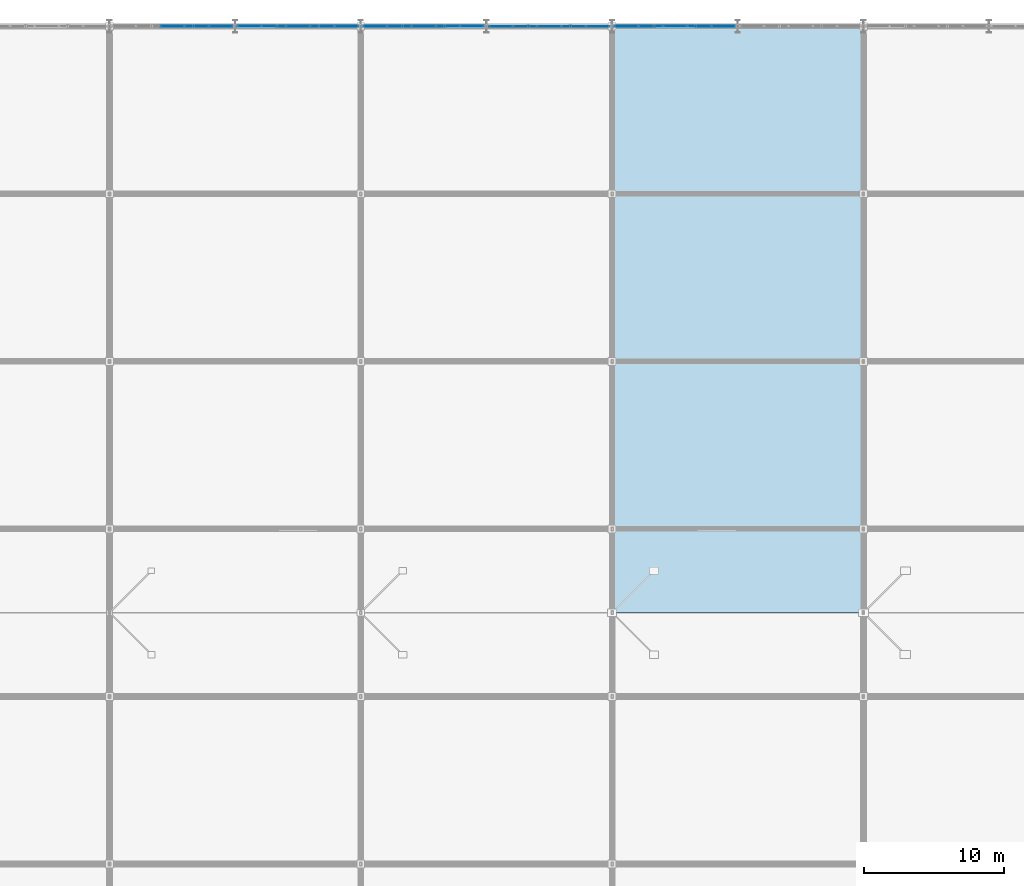
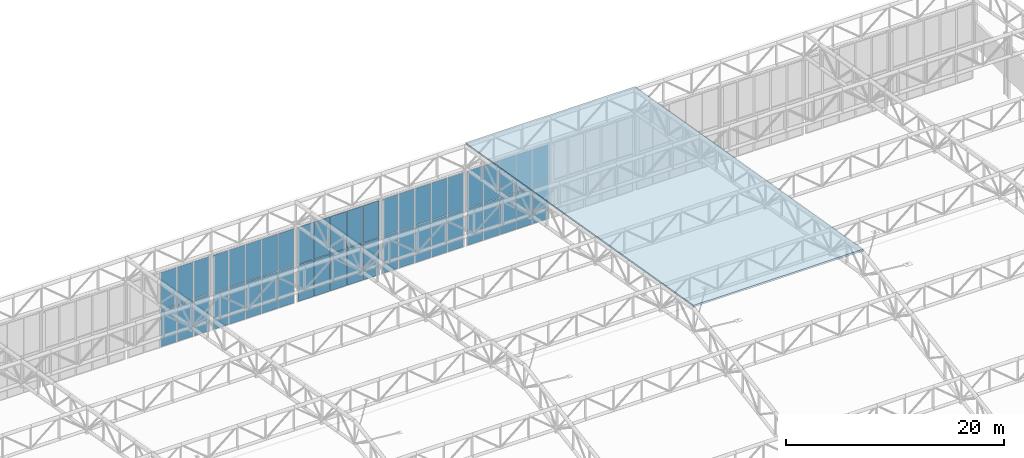
# One storey, part 188 of 239: 69 plates, 1 slab, 6 elements without a shape of their own.
"""IFC4 building model written with IfcOpenShell, lengths in metres."""

from ifc_helpers import new_model, si_unit, direction, frame, origin, origin_2d, place, context, subcontext, project, spatial, polyline, rectangle, outline, extrude, material, layer, layer_set, type_object, element, aggregate, save


model = new_model("IFC4")

# Units and contexts
model_context = context("Model", 3, precision=1e-05, world=origin(), true_north=direction((0.0, 1.0)))
body_context = subcontext(model_context, "Body", "Model", "MODEL_VIEW")
ifc_project = project(units=[si_unit("LENGTHUNIT", "METRE"), si_unit("AREAUNIT", "SQUARE_METRE"), si_unit("VOLUMEUNIT", "CUBIC_METRE"), si_unit("PLANEANGLEUNIT", "RADIAN"), si_unit("MASSUNIT", "GRAM", prefix="KILO")], contexts=[model_context])

# Site, building, storey
site_placement = place(None, origin())
site = spatial("IfcSite", under=ifc_project, at=site_placement, CompositionType="ELEMENT")
building_placement = place(site_placement, origin())
building = spatial("IfcBuilding", under=site, at=building_placement, Name="Kaldris Quays Convention Centre", CompositionType="ELEMENT")
storey_placement = place(building_placement, frame((0.0, 0.0, 11.39990234375)))
storey = spatial("IfcBuildingStorey", under=building, at=storey_placement, Name="L02", CompositionType="ELEMENT", Elevation=11.39990234375)

# Curtain wall, plates
ifc_material_1 = material(Name="Anodized aluminium AW-6060 and triple glazing", Category="aluminium")
curtain_wall_type = type_object("IfcCurtainWallType", Name="UNITISED CURTAIN WALL CW03", PredefinedType="NOTDEFINED", material=ifc_material_1)
curtain_wall_1_placement = place(storey_placement, origin())
curtain_wall_1 = element("IfcCurtainWall", 1, at=curtain_wall_1_placement, inside=storey, type_object=curtain_wall_type, Name="L02 Unitised Curtain Wall CW03 242", PredefinedType="NOTDEFINED")
ifc_material_2 = material(Name="Triple low-E insulated glazing", Category="glass")
plate_type_1 = type_object("IfcPlateType", Name="CURTAIN GLAZING PANEL CWP2", PredefinedType="CURTAIN_PANEL", material=ifc_material_2)
plate_1_placement = place(storey_placement, frame((84.027099609375, 140.0, -1.544921875), z_axis=(0.0, 0.0, 1.0), x_axis=(1.0, 0.0, 0.0)))
plate_1 = element("IfcPlate", 2, at=plate_1_placement, type_object=plate_type_1, Name="CW03 panel 1.1", PredefinedType="CURTAIN_PANEL", context=body_context, shape_type="SweptSolid", body=[
    extrude(rectangle(XDim=1.654052734375, YDim=0.033935546875, at=origin_2d()), origin(), (0.0, 0.0, 1.0), 0.9599609375),
])
plate_2_placement = place(storey_placement, frame((84.027099609375, 140.0, -0.52490234375), z_axis=(0.0, 0.0, 1.0), x_axis=(1.0, 0.0, 0.0)))
plate_2 = element("IfcPlate", 3, at=plate_2_placement, type_object=plate_type_1, Name="CW03 panel 1.2", PredefinedType="CURTAIN_PANEL", context=body_context, shape_type="SweptSolid", body=[
    extrude(rectangle(XDim=1.654052734375, YDim=0.033935546875, at=origin_2d()), origin(), (0.0, 0.0, 1.0), 3.117919921875),
])
plate_3_placement = place(storey_placement, frame((84.027099609375, 140.0, 2.6533203125), z_axis=(0.0, 0.0, 1.0), x_axis=(1.0, 0.0, 0.0)))
plate_3 = element("IfcPlate", 4, at=plate_3_placement, type_object=plate_type_1, Name="CW03 panel 1.3", PredefinedType="CURTAIN_PANEL", context=body_context, shape_type="SweptSolid", body=[
    extrude(rectangle(XDim=1.654052734375, YDim=0.033935546875, at=origin_2d()), origin(), (0.0, 0.0, 1.0), 4.136962890625),
])
plate_4_placement = place(storey_placement, frame((85.756103515625, 140.0, -1.544921875), z_axis=(0.0, 0.0, 1.0), x_axis=(1.0, 0.0, 0.0)))
plate_4 = element("IfcPlate", 5, at=plate_4_placement, type_object=plate_type_1, Name="CW03 panel 2.1", PredefinedType="CURTAIN_PANEL", context=body_context, shape_type="SweptSolid", body=[
    extrude(rectangle(XDim=1.68408203125, YDim=0.033935546875, at=origin_2d()), origin(), (0.0, 0.0, 1.0), 0.9599609375),
])
plate_5_placement = place(storey_placement, frame((85.756103515625, 140.0, -0.52490234375), z_axis=(0.0, 0.0, 1.0), x_axis=(1.0, 0.0, 0.0)))
plate_5 = element("IfcPlate", 6, at=plate_5_placement, type_object=plate_type_1, Name="CW03 panel 2.2", PredefinedType="CURTAIN_PANEL", context=body_context, shape_type="SweptSolid", body=[
    extrude(rectangle(XDim=1.68408203125, YDim=0.033935546875, at=origin_2d()), origin(), (0.0, 0.0, 1.0), 3.117919921875),
])
plate_6_placement = place(storey_placement, frame((85.756103515625, 140.0, 2.6533203125), z_axis=(0.0, 0.0, 1.0), x_axis=(1.0, 0.0, 0.0)))
plate_6 = element("IfcPlate", 7, at=plate_6_placement, type_object=plate_type_1, Name="CW03 panel 2.3", PredefinedType="CURTAIN_PANEL", context=body_context, shape_type="SweptSolid", body=[
    extrude(rectangle(XDim=1.68408203125, YDim=0.033935546875, at=origin_2d()), origin(), (0.0, 0.0, 1.0), 4.136962890625),
])
plate_7_placement = place(storey_placement, frame((87.5, 140.0, -1.544921875), z_axis=(0.0, 0.0, 1.0), x_axis=(1.0, 0.0, 0.0)))
plate_7 = element("IfcPlate", 8, at=plate_7_placement, type_object=plate_type_1, Name="CW03 panel 3.1", PredefinedType="CURTAIN_PANEL", context=body_context, shape_type="SweptSolid", body=[
    extrude(rectangle(XDim=1.68408203125, YDim=0.033935546875, at=origin_2d()), origin(), (0.0, 0.0, 1.0), 0.9599609375),
])
plate_8_placement = place(storey_placement, frame((87.5, 140.0, -0.52490234375), z_axis=(0.0, 0.0, 1.0), x_axis=(1.0, 0.0, 0.0)))
plate_8 = element("IfcPlate", 9, at=plate_8_placement, type_object=plate_type_1, Name="CW03 panel 3.2", PredefinedType="CURTAIN_PANEL", context=body_context, shape_type="SweptSolid", body=[
    extrude(rectangle(XDim=1.68408203125, YDim=0.033935546875, at=origin_2d()), origin(), (0.0, 0.0, 1.0), 3.117919921875),
])
plate_9_placement = place(storey_placement, frame((87.5, 140.0, 2.6533203125), z_axis=(0.0, 0.0, 1.0), x_axis=(1.0, 0.0, 0.0)))
plate_9 = element("IfcPlate", 10, at=plate_9_placement, type_object=plate_type_1, Name="CW03 panel 3.3", PredefinedType="CURTAIN_PANEL", context=body_context, shape_type="SweptSolid", body=[
    extrude(rectangle(XDim=1.68408203125, YDim=0.033935546875, at=origin_2d()), origin(), (0.0, 0.0, 1.0), 4.136962890625),
])
plate_10_placement = place(storey_placement, frame((89.243896484375, 140.0, -1.544921875), z_axis=(0.0, 0.0, 1.0), x_axis=(1.0, 0.0, 0.0)))
plate_10 = element("IfcPlate", 11, at=plate_10_placement, type_object=plate_type_1, Name="CW03 panel 4.1", PredefinedType="CURTAIN_PANEL", context=body_context, shape_type="SweptSolid", body=[
    extrude(rectangle(XDim=1.68408203125, YDim=0.033935546875, at=origin_2d()), origin(), (0.0, 0.0, 1.0), 0.9599609375),
])
plate_11_placement = place(storey_placement, frame((89.243896484375, 140.0, -0.52490234375), z_axis=(0.0, 0.0, 1.0), x_axis=(1.0, 0.0, 0.0)))
plate_11 = element("IfcPlate", 12, at=plate_11_placement, type_object=plate_type_1, Name="CW03 panel 4.2", PredefinedType="CURTAIN_PANEL", context=body_context, shape_type="SweptSolid", body=[
    extrude(rectangle(XDim=1.68408203125, YDim=0.033935546875, at=origin_2d()), origin(), (0.0, 0.0, 1.0), 3.117919921875),
])
plate_12_placement = place(storey_placement, frame((89.243896484375, 140.0, 2.6533203125), z_axis=(0.0, 0.0, 1.0), x_axis=(1.0, 0.0, 0.0)))
plate_12 = element("IfcPlate", 13, at=plate_12_placement, type_object=plate_type_1, Name="CW03 panel 4.3", PredefinedType="CURTAIN_PANEL", context=body_context, shape_type="SweptSolid", body=[
    extrude(rectangle(XDim=1.68408203125, YDim=0.033935546875, at=origin_2d()), origin(), (0.0, 0.0, 1.0), 4.136962890625),
])
plate_13_placement = place(storey_placement, frame((90.972900390625, 140.0, -1.544921875), z_axis=(0.0, 0.0, 1.0), x_axis=(1.0, 0.0, 0.0)))
plate_13 = element("IfcPlate", 14, at=plate_13_placement, type_object=plate_type_1, Name="CW03 panel 5.1", PredefinedType="CURTAIN_PANEL", context=body_context, shape_type="SweptSolid", body=[
    extrude(rectangle(XDim=1.654052734375, YDim=0.033935546875, at=origin_2d()), origin(), (0.0, 0.0, 1.0), 0.9599609375),
])
plate_14_placement = place(storey_placement, frame((90.972900390625, 140.0, -0.52490234375), z_axis=(0.0, 0.0, 1.0), x_axis=(1.0, 0.0, 0.0)))
plate_14 = element("IfcPlate", 15, at=plate_14_placement, type_object=plate_type_1, Name="CW03 panel 5.2", PredefinedType="CURTAIN_PANEL", context=body_context, shape_type="SweptSolid", body=[
    extrude(rectangle(XDim=1.654052734375, YDim=0.033935546875, at=origin_2d()), origin(), (0.0, 0.0, 1.0), 3.117919921875),
])
plate_15_placement = place(storey_placement, frame((90.972900390625, 140.0, 2.6533203125), z_axis=(0.0, 0.0, 1.0), x_axis=(1.0, 0.0, 0.0)))
plate_15 = element("IfcPlate", 16, at=plate_15_placement, type_object=plate_type_1, Name="CW03 panel 5.3", PredefinedType="CURTAIN_PANEL", context=body_context, shape_type="SweptSolid", body=[
    extrude(rectangle(XDim=1.654052734375, YDim=0.033935546875, at=origin_2d()), origin(), (0.0, 0.0, 1.0), 4.136962890625),
])
aggregate(curtain_wall_1, [plate_1, plate_2, plate_3, plate_4, plate_5, plate_6, plate_7, plate_8, plate_9, plate_10, plate_11, plate_12, plate_13, plate_14, plate_15])

curtain_wall_2_placement = place(storey_placement, origin())
curtain_wall_2 = element("IfcCurtainWall", 17, at=curtain_wall_2_placement, inside=storey, type_object=curtain_wall_type, Name="L02 Unitised Curtain Wall CW03 236", PredefinedType="NOTDEFINED")
plate_type_2 = type_object("IfcPlateType", Name="CURTAIN GLAZING PANEL CWP4", PredefinedType="CURTAIN_PANEL", material=ifc_material_2)
plate_16_placement = place(storey_placement, frame((60.5, 140.0, -1.544921875), z_axis=(0.0, 0.0, 1.0), x_axis=(1.0, 0.0, 0.0)))
plate_16 = element("IfcPlate", 18, at=plate_16_placement, type_object=plate_type_2, Name="CW03 panel 3.1", PredefinedType="CURTAIN_PANEL", context=body_context, shape_type="SweptSolid", body=[
    extrude(rectangle(XDim=1.68408203125, YDim=0.0439453125, at=origin_2d()), origin(), (0.0, 0.0, 1.0), 0.9599609375),
])
plate_17_placement = place(storey_placement, frame((60.5, 140.0, -0.52490234375), z_axis=(0.0, 0.0, 1.0), x_axis=(1.0, 0.0, 0.0)))
plate_17 = element("IfcPlate", 19, at=plate_17_placement, type_object=plate_type_2, Name="CW03 panel 3.2", PredefinedType="CURTAIN_PANEL", context=body_context, shape_type="SweptSolid", body=[
    extrude(rectangle(XDim=1.68408203125, YDim=0.0439453125, at=origin_2d()), origin(), (0.0, 0.0, 1.0), 3.117919921875),
])
plate_18_placement = place(storey_placement, frame((60.5, 140.0, 2.6533203125), z_axis=(0.0, 0.0, 1.0), x_axis=(1.0, 0.0, 0.0)))
plate_18 = element("IfcPlate", 20, at=plate_18_placement, type_object=plate_type_2, Name="CW03 panel 3.3", PredefinedType="CURTAIN_PANEL", context=body_context, shape_type="SweptSolid", body=[
    extrude(rectangle(XDim=1.68408203125, YDim=0.0439453125, at=origin_2d()), origin(), (0.0, 0.0, 1.0), 4.136962890625),
])
plate_19_placement = place(storey_placement, frame((62.243896484375, 140.0, -1.544921875), z_axis=(0.0, 0.0, 1.0), x_axis=(1.0, 0.0, 0.0)))
plate_19 = element("IfcPlate", 21, at=plate_19_placement, type_object=plate_type_2, Name="CW03 panel 4.1", PredefinedType="CURTAIN_PANEL", context=body_context, shape_type="SweptSolid", body=[
    extrude(rectangle(XDim=1.68408203125, YDim=0.0439453125, at=origin_2d()), origin(), (0.0, 0.0, 1.0), 0.9599609375),
])
plate_20_placement = place(storey_placement, frame((62.243896484375, 140.0, -0.52490234375), z_axis=(0.0, 0.0, 1.0), x_axis=(1.0, 0.0, 0.0)))
plate_20 = element("IfcPlate", 22, at=plate_20_placement, type_object=plate_type_2, Name="CW03 panel 4.2", PredefinedType="CURTAIN_PANEL", context=body_context, shape_type="SweptSolid", body=[
    extrude(rectangle(XDim=1.68408203125, YDim=0.0439453125, at=origin_2d()), origin(), (0.0, 0.0, 1.0), 3.117919921875),
])
plate_21_placement = place(storey_placement, frame((62.243896484375, 140.0, 2.6533203125), z_axis=(0.0, 0.0, 1.0), x_axis=(1.0, 0.0, 0.0)))
plate_21 = element("IfcPlate", 23, at=plate_21_placement, type_object=plate_type_2, Name="CW03 panel 4.3", PredefinedType="CURTAIN_PANEL", context=body_context, shape_type="SweptSolid", body=[
    extrude(rectangle(XDim=1.68408203125, YDim=0.0439453125, at=origin_2d()), origin(), (0.0, 0.0, 1.0), 4.136962890625),
])
plate_22_placement = place(storey_placement, frame((63.972900390625, 140.0, -1.544921875), z_axis=(0.0, 0.0, 1.0), x_axis=(1.0, 0.0, 0.0)))
plate_22 = element("IfcPlate", 24, at=plate_22_placement, type_object=plate_type_2, Name="CW03 panel 5.1", PredefinedType="CURTAIN_PANEL", context=body_context, shape_type="SweptSolid", body=[
    extrude(rectangle(XDim=1.654052734375, YDim=0.0439453125, at=origin_2d()), origin(), (0.0, 0.0, 1.0), 0.9599609375),
])
plate_23_placement = place(storey_placement, frame((63.972900390625, 140.0, -0.52490234375), z_axis=(0.0, 0.0, 1.0), x_axis=(1.0, 0.0, 0.0)))
plate_23 = element("IfcPlate", 25, at=plate_23_placement, type_object=plate_type_2, Name="CW03 panel 5.2", PredefinedType="CURTAIN_PANEL", context=body_context, shape_type="SweptSolid", body=[
    extrude(rectangle(XDim=1.654052734375, YDim=0.0439453125, at=origin_2d()), origin(), (0.0, 0.0, 1.0), 3.117919921875),
])
plate_24_placement = place(storey_placement, frame((63.972900390625, 140.0, 2.6533203125), z_axis=(0.0, 0.0, 1.0), x_axis=(1.0, 0.0, 0.0)))
plate_24 = element("IfcPlate", 26, at=plate_24_placement, type_object=plate_type_2, Name="CW03 panel 5.3", PredefinedType="CURTAIN_PANEL", context=body_context, shape_type="SweptSolid", body=[
    extrude(rectangle(XDim=1.654052734375, YDim=0.0439453125, at=origin_2d()), origin(), (0.0, 0.0, 1.0), 4.136962890625),
])
aggregate(curtain_wall_2, [plate_16, plate_17, plate_18, plate_19, plate_20, plate_21, plate_22, plate_23, plate_24])

curtain_wall_3_placement = place(storey_placement, origin())
curtain_wall_3 = element("IfcCurtainWall", 27, at=curtain_wall_3_placement, inside=storey, type_object=curtain_wall_type, Name="L02 Unitised Curtain Wall CW03 244", PredefinedType="NOTDEFINED")
plate_25_placement = place(storey_placement, frame((93.027099609375, 140.0, -1.544921875), z_axis=(0.0, 0.0, 1.0), x_axis=(1.0, 0.0, 0.0)))
plate_25 = element("IfcPlate", 28, at=plate_25_placement, type_object=plate_type_2, Name="CW03 panel 1.1", PredefinedType="CURTAIN_PANEL", context=body_context, shape_type="SweptSolid", body=[
    extrude(rectangle(XDim=1.654052734375, YDim=0.0439453125, at=origin_2d()), origin(), (0.0, 0.0, 1.0), 0.9599609375),
])
plate_26_placement = place(storey_placement, frame((93.027099609375, 140.0, -0.52490234375), z_axis=(0.0, 0.0, 1.0), x_axis=(1.0, 0.0, 0.0)))
plate_26 = element("IfcPlate", 29, at=plate_26_placement, type_object=plate_type_2, Name="CW03 panel 1.2", PredefinedType="CURTAIN_PANEL", context=body_context, shape_type="SweptSolid", body=[
    extrude(rectangle(XDim=1.654052734375, YDim=0.0439453125, at=origin_2d()), origin(), (0.0, 0.0, 1.0), 3.117919921875),
])
plate_27_placement = place(storey_placement, frame((93.027099609375, 140.0, 2.6533203125), z_axis=(0.0, 0.0, 1.0), x_axis=(1.0, 0.0, 0.0)))
plate_27 = element("IfcPlate", 30, at=plate_27_placement, type_object=plate_type_2, Name="CW03 panel 1.3", PredefinedType="CURTAIN_PANEL", context=body_context, shape_type="SweptSolid", body=[
    extrude(rectangle(XDim=1.654052734375, YDim=0.0439453125, at=origin_2d()), origin(), (0.0, 0.0, 1.0), 4.136962890625),
])
plate_28_placement = place(storey_placement, frame((94.756103515625, 140.0, -1.544921875), z_axis=(0.0, 0.0, 1.0), x_axis=(1.0, 0.0, 0.0)))
plate_28 = element("IfcPlate", 31, at=plate_28_placement, type_object=plate_type_2, Name="CW03 panel 2.1", PredefinedType="CURTAIN_PANEL", context=body_context, shape_type="SweptSolid", body=[
    extrude(rectangle(XDim=1.68408203125, YDim=0.0439453125, at=origin_2d()), origin(), (0.0, 0.0, 1.0), 0.9599609375),
])
plate_29_placement = place(storey_placement, frame((94.756103515625, 140.0, -0.52490234375), z_axis=(0.0, 0.0, 1.0), x_axis=(1.0, 0.0, 0.0)))
plate_29 = element("IfcPlate", 32, at=plate_29_placement, type_object=plate_type_2, Name="CW03 panel 2.2", PredefinedType="CURTAIN_PANEL", context=body_context, shape_type="SweptSolid", body=[
    extrude(rectangle(XDim=1.68408203125, YDim=0.0439453125, at=origin_2d()), origin(), (0.0, 0.0, 1.0), 3.117919921875),
])
plate_30_placement = place(storey_placement, frame((94.756103515625, 140.0, 2.6533203125), z_axis=(0.0, 0.0, 1.0), x_axis=(1.0, 0.0, 0.0)))
plate_30 = element("IfcPlate", 33, at=plate_30_placement, type_object=plate_type_2, Name="CW03 panel 2.3", PredefinedType="CURTAIN_PANEL", context=body_context, shape_type="SweptSolid", body=[
    extrude(rectangle(XDim=1.68408203125, YDim=0.0439453125, at=origin_2d()), origin(), (0.0, 0.0, 1.0), 4.136962890625),
])
plate_31_placement = place(storey_placement, frame((96.5, 140.0, -1.544921875), z_axis=(0.0, 0.0, 1.0), x_axis=(1.0, 0.0, 0.0)))
plate_31 = element("IfcPlate", 34, at=plate_31_placement, type_object=plate_type_2, Name="CW03 panel 3.1", PredefinedType="CURTAIN_PANEL", context=body_context, shape_type="SweptSolid", body=[
    extrude(rectangle(XDim=1.68408203125, YDim=0.0439453125, at=origin_2d()), origin(), (0.0, 0.0, 1.0), 0.9599609375),
])
plate_32_placement = place(storey_placement, frame((96.5, 140.0, -0.52490234375), z_axis=(0.0, 0.0, 1.0), x_axis=(1.0, 0.0, 0.0)))
plate_32 = element("IfcPlate", 35, at=plate_32_placement, type_object=plate_type_2, Name="CW03 panel 3.2", PredefinedType="CURTAIN_PANEL", context=body_context, shape_type="SweptSolid", body=[
    extrude(rectangle(XDim=1.68408203125, YDim=0.0439453125, at=origin_2d()), origin(), (0.0, 0.0, 1.0), 3.117919921875),
])
plate_33_placement = place(storey_placement, frame((96.5, 140.0, 2.6533203125), z_axis=(0.0, 0.0, 1.0), x_axis=(1.0, 0.0, 0.0)))
plate_33 = element("IfcPlate", 36, at=plate_33_placement, type_object=plate_type_2, Name="CW03 panel 3.3", PredefinedType="CURTAIN_PANEL", context=body_context, shape_type="SweptSolid", body=[
    extrude(rectangle(XDim=1.68408203125, YDim=0.0439453125, at=origin_2d()), origin(), (0.0, 0.0, 1.0), 4.136962890625),
])
plate_34_placement = place(storey_placement, frame((98.243896484375, 140.0, -1.544921875), z_axis=(0.0, 0.0, 1.0), x_axis=(1.0, 0.0, 0.0)))
plate_34 = element("IfcPlate", 37, at=plate_34_placement, type_object=plate_type_2, Name="CW03 panel 4.1", PredefinedType="CURTAIN_PANEL", context=body_context, shape_type="SweptSolid", body=[
    extrude(rectangle(XDim=1.68408203125, YDim=0.0439453125, at=origin_2d()), origin(), (0.0, 0.0, 1.0), 0.9599609375),
])
plate_35_placement = place(storey_placement, frame((98.243896484375, 140.0, -0.52490234375), z_axis=(0.0, 0.0, 1.0), x_axis=(1.0, 0.0, 0.0)))
plate_35 = element("IfcPlate", 38, at=plate_35_placement, type_object=plate_type_2, Name="CW03 panel 4.2", PredefinedType="CURTAIN_PANEL", context=body_context, shape_type="SweptSolid", body=[
    extrude(rectangle(XDim=1.68408203125, YDim=0.0439453125, at=origin_2d()), origin(), (0.0, 0.0, 1.0), 3.117919921875),
])
plate_36_placement = place(storey_placement, frame((98.243896484375, 140.0, 2.6533203125), z_axis=(0.0, 0.0, 1.0), x_axis=(1.0, 0.0, 0.0)))
plate_36 = element("IfcPlate", 39, at=plate_36_placement, type_object=plate_type_2, Name="CW03 panel 4.3", PredefinedType="CURTAIN_PANEL", context=body_context, shape_type="SweptSolid", body=[
    extrude(rectangle(XDim=1.68408203125, YDim=0.0439453125, at=origin_2d()), origin(), (0.0, 0.0, 1.0), 4.136962890625),
])
plate_37_placement = place(storey_placement, frame((99.972900390625, 140.0, -1.544921875), z_axis=(0.0, 0.0, 1.0), x_axis=(1.0, 0.0, 0.0)))
plate_37 = element("IfcPlate", 40, at=plate_37_placement, type_object=plate_type_2, Name="CW03 panel 5.1", PredefinedType="CURTAIN_PANEL", context=body_context, shape_type="SweptSolid", body=[
    extrude(rectangle(XDim=1.654052734375, YDim=0.0439453125, at=origin_2d()), origin(), (0.0, 0.0, 1.0), 0.9599609375),
])
plate_38_placement = place(storey_placement, frame((99.972900390625, 140.0, -0.52490234375), z_axis=(0.0, 0.0, 1.0), x_axis=(1.0, 0.0, 0.0)))
plate_38 = element("IfcPlate", 41, at=plate_38_placement, type_object=plate_type_2, Name="CW03 panel 5.2", PredefinedType="CURTAIN_PANEL", context=body_context, shape_type="SweptSolid", body=[
    extrude(rectangle(XDim=1.654052734375, YDim=0.0439453125, at=origin_2d()), origin(), (0.0, 0.0, 1.0), 3.117919921875),
])
plate_39_placement = place(storey_placement, frame((99.972900390625, 140.0, 2.6533203125), z_axis=(0.0, 0.0, 1.0), x_axis=(1.0, 0.0, 0.0)))
plate_39 = element("IfcPlate", 42, at=plate_39_placement, type_object=plate_type_2, Name="CW03 panel 5.3", PredefinedType="CURTAIN_PANEL", context=body_context, shape_type="SweptSolid", body=[
    extrude(rectangle(XDim=1.654052734375, YDim=0.0439453125, at=origin_2d()), origin(), (0.0, 0.0, 1.0), 4.136962890625),
])
aggregate(curtain_wall_3, [plate_25, plate_26, plate_27, plate_28, plate_29, plate_30, plate_31, plate_32, plate_33, plate_34, plate_35, plate_36, plate_37, plate_38, plate_39])

curtain_wall_4_placement = place(storey_placement, origin())
curtain_wall_4 = element("IfcCurtainWall", 43, at=curtain_wall_4_placement, inside=storey, type_object=curtain_wall_type, Name="L02 Unitised Curtain Wall CW03 238", PredefinedType="NOTDEFINED")
plate_type_3 = type_object("IfcPlateType", Name="CURTAIN GLAZING PANEL CWP6", PredefinedType="CURTAIN_PANEL", material=ifc_material_2)
plate_40_placement = place(storey_placement, frame((66.027099609375, 140.0, -1.544921875), z_axis=(0.0, 0.0, 1.0), x_axis=(1.0, 0.0, 0.0)))
plate_40 = element("IfcPlate", 44, at=plate_40_placement, type_object=plate_type_3, Name="CW03 panel 1.1", PredefinedType="CURTAIN_PANEL", context=body_context, shape_type="SweptSolid", body=[
    extrude(rectangle(XDim=1.654052734375, YDim=0.053955078125, at=origin_2d()), origin(), (0.0, 0.0, 1.0), 0.9599609375),
])
plate_41_placement = place(storey_placement, frame((66.027099609375, 140.0, -0.52490234375), z_axis=(0.0, 0.0, 1.0), x_axis=(1.0, 0.0, 0.0)))
plate_41 = element("IfcPlate", 45, at=plate_41_placement, type_object=plate_type_3, Name="CW03 panel 1.2", PredefinedType="CURTAIN_PANEL", context=body_context, shape_type="SweptSolid", body=[
    extrude(rectangle(XDim=1.654052734375, YDim=0.053955078125, at=origin_2d()), origin(), (0.0, 0.0, 1.0), 3.117919921875),
])
plate_42_placement = place(storey_placement, frame((66.027099609375, 140.0, 2.6533203125), z_axis=(0.0, 0.0, 1.0), x_axis=(1.0, 0.0, 0.0)))
plate_42 = element("IfcPlate", 46, at=plate_42_placement, type_object=plate_type_3, Name="CW03 panel 1.3", PredefinedType="CURTAIN_PANEL", context=body_context, shape_type="SweptSolid", body=[
    extrude(rectangle(XDim=1.654052734375, YDim=0.053955078125, at=origin_2d()), origin(), (0.0, 0.0, 1.0), 4.136962890625),
])
plate_43_placement = place(storey_placement, frame((67.756103515625, 140.0, -1.544921875), z_axis=(0.0, 0.0, 1.0), x_axis=(1.0, 0.0, 0.0)))
plate_43 = element("IfcPlate", 47, at=plate_43_placement, type_object=plate_type_3, Name="CW03 panel 2.1", PredefinedType="CURTAIN_PANEL", context=body_context, shape_type="SweptSolid", body=[
    extrude(rectangle(XDim=1.68408203125, YDim=0.053955078125, at=origin_2d()), origin(), (0.0, 0.0, 1.0), 0.9599609375),
])
plate_44_placement = place(storey_placement, frame((67.756103515625, 140.0, -0.52490234375), z_axis=(0.0, 0.0, 1.0), x_axis=(1.0, 0.0, 0.0)))
plate_44 = element("IfcPlate", 48, at=plate_44_placement, type_object=plate_type_3, Name="CW03 panel 2.2", PredefinedType="CURTAIN_PANEL", context=body_context, shape_type="SweptSolid", body=[
    extrude(rectangle(XDim=1.68408203125, YDim=0.053955078125, at=origin_2d()), origin(), (0.0, 0.0, 1.0), 3.117919921875),
])
plate_45_placement = place(storey_placement, frame((67.756103515625, 140.0, 2.6533203125), z_axis=(0.0, 0.0, 1.0), x_axis=(1.0, 0.0, 0.0)))
plate_45 = element("IfcPlate", 49, at=plate_45_placement, type_object=plate_type_3, Name="CW03 panel 2.3", PredefinedType="CURTAIN_PANEL", context=body_context, shape_type="SweptSolid", body=[
    extrude(rectangle(XDim=1.68408203125, YDim=0.053955078125, at=origin_2d()), origin(), (0.0, 0.0, 1.0), 4.136962890625),
])
plate_46_placement = place(storey_placement, frame((69.5, 140.0, -1.544921875), z_axis=(0.0, 0.0, 1.0), x_axis=(1.0, 0.0, 0.0)))
plate_46 = element("IfcPlate", 50, at=plate_46_placement, type_object=plate_type_3, Name="CW03 panel 3.1", PredefinedType="CURTAIN_PANEL", context=body_context, shape_type="SweptSolid", body=[
    extrude(rectangle(XDim=1.68408203125, YDim=0.053955078125, at=origin_2d()), origin(), (0.0, 0.0, 1.0), 0.9599609375),
])
plate_47_placement = place(storey_placement, frame((69.5, 140.0, -0.52490234375), z_axis=(0.0, 0.0, 1.0), x_axis=(1.0, 0.0, 0.0)))
plate_47 = element("IfcPlate", 51, at=plate_47_placement, type_object=plate_type_3, Name="CW03 panel 3.2", PredefinedType="CURTAIN_PANEL", context=body_context, shape_type="SweptSolid", body=[
    extrude(rectangle(XDim=1.68408203125, YDim=0.053955078125, at=origin_2d()), origin(), (0.0, 0.0, 1.0), 3.117919921875),
])
plate_48_placement = place(storey_placement, frame((69.5, 140.0, 2.6533203125), z_axis=(0.0, 0.0, 1.0), x_axis=(1.0, 0.0, 0.0)))
plate_48 = element("IfcPlate", 52, at=plate_48_placement, type_object=plate_type_3, Name="CW03 panel 3.3", PredefinedType="CURTAIN_PANEL", context=body_context, shape_type="SweptSolid", body=[
    extrude(rectangle(XDim=1.68408203125, YDim=0.053955078125, at=origin_2d()), origin(), (0.0, 0.0, 1.0), 4.136962890625),
])
plate_49_placement = place(storey_placement, frame((71.243896484375, 140.0, -1.544921875), z_axis=(0.0, 0.0, 1.0), x_axis=(1.0, 0.0, 0.0)))
plate_49 = element("IfcPlate", 53, at=plate_49_placement, type_object=plate_type_3, Name="CW03 panel 4.1", PredefinedType="CURTAIN_PANEL", context=body_context, shape_type="SweptSolid", body=[
    extrude(rectangle(XDim=1.68408203125, YDim=0.053955078125, at=origin_2d()), origin(), (0.0, 0.0, 1.0), 0.9599609375),
])
plate_50_placement = place(storey_placement, frame((71.243896484375, 140.0, -0.52490234375), z_axis=(0.0, 0.0, 1.0), x_axis=(1.0, 0.0, 0.0)))
plate_50 = element("IfcPlate", 54, at=plate_50_placement, type_object=plate_type_3, Name="CW03 panel 4.2", PredefinedType="CURTAIN_PANEL", context=body_context, shape_type="SweptSolid", body=[
    extrude(rectangle(XDim=1.68408203125, YDim=0.053955078125, at=origin_2d()), origin(), (0.0, 0.0, 1.0), 3.117919921875),
])
plate_51_placement = place(storey_placement, frame((71.243896484375, 140.0, 2.6533203125), z_axis=(0.0, 0.0, 1.0), x_axis=(1.0, 0.0, 0.0)))
plate_51 = element("IfcPlate", 55, at=plate_51_placement, type_object=plate_type_3, Name="CW03 panel 4.3", PredefinedType="CURTAIN_PANEL", context=body_context, shape_type="SweptSolid", body=[
    extrude(rectangle(XDim=1.68408203125, YDim=0.053955078125, at=origin_2d()), origin(), (0.0, 0.0, 1.0), 4.136962890625),
])
plate_52_placement = place(storey_placement, frame((72.972900390625, 140.0, -1.544921875), z_axis=(0.0, 0.0, 1.0), x_axis=(1.0, 0.0, 0.0)))
plate_52 = element("IfcPlate", 56, at=plate_52_placement, type_object=plate_type_3, Name="CW03 panel 5.1", PredefinedType="CURTAIN_PANEL", context=body_context, shape_type="SweptSolid", body=[
    extrude(rectangle(XDim=1.654052734375, YDim=0.053955078125, at=origin_2d()), origin(), (0.0, 0.0, 1.0), 0.9599609375),
])
plate_53_placement = place(storey_placement, frame((72.972900390625, 140.0, -0.52490234375), z_axis=(0.0, 0.0, 1.0), x_axis=(1.0, 0.0, 0.0)))
plate_53 = element("IfcPlate", 57, at=plate_53_placement, type_object=plate_type_3, Name="CW03 panel 5.2", PredefinedType="CURTAIN_PANEL", context=body_context, shape_type="SweptSolid", body=[
    extrude(rectangle(XDim=1.654052734375, YDim=0.053955078125, at=origin_2d()), origin(), (0.0, 0.0, 1.0), 3.117919921875),
])
plate_54_placement = place(storey_placement, frame((72.972900390625, 140.0, 2.6533203125), z_axis=(0.0, 0.0, 1.0), x_axis=(1.0, 0.0, 0.0)))
plate_54 = element("IfcPlate", 58, at=plate_54_placement, type_object=plate_type_3, Name="CW03 panel 5.3", PredefinedType="CURTAIN_PANEL", context=body_context, shape_type="SweptSolid", body=[
    extrude(rectangle(XDim=1.654052734375, YDim=0.053955078125, at=origin_2d()), origin(), (0.0, 0.0, 1.0), 4.136962890625),
])
aggregate(curtain_wall_4, [plate_40, plate_41, plate_42, plate_43, plate_44, plate_45, plate_46, plate_47, plate_48, plate_49, plate_50, plate_51, plate_52, plate_53, plate_54])

curtain_wall_5_placement = place(storey_placement, origin())
curtain_wall_5 = element("IfcCurtainWall", 59, at=curtain_wall_5_placement, inside=storey, type_object=curtain_wall_type, Name="L02 Unitised Curtain Wall CW03 240", PredefinedType="NOTDEFINED")
plate_type_4 = type_object("IfcPlateType", Name="CURTAIN GLAZING PANEL CWP8", PredefinedType="CURTAIN_PANEL", material=ifc_material_2)
plate_55_placement = place(storey_placement, frame((75.027099609375, 140.0, -1.544921875), z_axis=(0.0, 0.0, 1.0), x_axis=(1.0, 0.0, 0.0)))
plate_55 = element("IfcPlate", 60, at=plate_55_placement, type_object=plate_type_4, Name="CW03 panel 1.1", PredefinedType="CURTAIN_PANEL", context=body_context, shape_type="SweptSolid", body=[
    extrude(rectangle(XDim=1.654052734375, YDim=0.06396484375, at=origin_2d()), origin(), (0.0, 0.0, 1.0), 0.9599609375),
])
plate_56_placement = place(storey_placement, frame((75.027099609375, 140.0, -0.52490234375), z_axis=(0.0, 0.0, 1.0), x_axis=(1.0, 0.0, 0.0)))
plate_56 = element("IfcPlate", 61, at=plate_56_placement, type_object=plate_type_4, Name="CW03 panel 1.2", PredefinedType="CURTAIN_PANEL", context=body_context, shape_type="SweptSolid", body=[
    extrude(rectangle(XDim=1.654052734375, YDim=0.06396484375, at=origin_2d()), origin(), (0.0, 0.0, 1.0), 3.117919921875),
])
plate_57_placement = place(storey_placement, frame((75.027099609375, 140.0, 2.6533203125), z_axis=(0.0, 0.0, 1.0), x_axis=(1.0, 0.0, 0.0)))
plate_57 = element("IfcPlate", 62, at=plate_57_placement, type_object=plate_type_4, Name="CW03 panel 1.3", PredefinedType="CURTAIN_PANEL", context=body_context, shape_type="SweptSolid", body=[
    extrude(rectangle(XDim=1.654052734375, YDim=0.06396484375, at=origin_2d()), origin(), (0.0, 0.0, 1.0), 4.136962890625),
])
plate_58_placement = place(storey_placement, frame((76.756103515625, 140.0, -1.544921875), z_axis=(0.0, 0.0, 1.0), x_axis=(1.0, 0.0, 0.0)))
plate_58 = element("IfcPlate", 63, at=plate_58_placement, type_object=plate_type_4, Name="CW03 panel 2.1", PredefinedType="CURTAIN_PANEL", context=body_context, shape_type="SweptSolid", body=[
    extrude(rectangle(XDim=1.68408203125, YDim=0.06396484375, at=origin_2d()), origin(), (0.0, 0.0, 1.0), 0.9599609375),
])
plate_59_placement = place(storey_placement, frame((76.756103515625, 140.0, -0.52490234375), z_axis=(0.0, 0.0, 1.0), x_axis=(1.0, 0.0, 0.0)))
plate_59 = element("IfcPlate", 64, at=plate_59_placement, type_object=plate_type_4, Name="CW03 panel 2.2", PredefinedType="CURTAIN_PANEL", context=body_context, shape_type="SweptSolid", body=[
    extrude(rectangle(XDim=1.68408203125, YDim=0.06396484375, at=origin_2d()), origin(), (0.0, 0.0, 1.0), 3.117919921875),
])
plate_60_placement = place(storey_placement, frame((76.756103515625, 140.0, 2.6533203125), z_axis=(0.0, 0.0, 1.0), x_axis=(1.0, 0.0, 0.0)))
plate_60 = element("IfcPlate", 65, at=plate_60_placement, type_object=plate_type_4, Name="CW03 panel 2.3", PredefinedType="CURTAIN_PANEL", context=body_context, shape_type="SweptSolid", body=[
    extrude(rectangle(XDim=1.68408203125, YDim=0.06396484375, at=origin_2d()), origin(), (0.0, 0.0, 1.0), 4.136962890625),
])
plate_61_placement = place(storey_placement, frame((78.5, 140.0, -1.544921875), z_axis=(0.0, 0.0, 1.0), x_axis=(1.0, 0.0, 0.0)))
plate_61 = element("IfcPlate", 66, at=plate_61_placement, type_object=plate_type_4, Name="CW03 panel 3.1", PredefinedType="CURTAIN_PANEL", context=body_context, shape_type="SweptSolid", body=[
    extrude(rectangle(XDim=1.68408203125, YDim=0.06396484375, at=origin_2d()), origin(), (0.0, 0.0, 1.0), 0.9599609375),
])
plate_62_placement = place(storey_placement, frame((78.5, 140.0, -0.52490234375), z_axis=(0.0, 0.0, 1.0), x_axis=(1.0, 0.0, 0.0)))
plate_62 = element("IfcPlate", 67, at=plate_62_placement, type_object=plate_type_4, Name="CW03 panel 3.2", PredefinedType="CURTAIN_PANEL", context=body_context, shape_type="SweptSolid", body=[
    extrude(rectangle(XDim=1.68408203125, YDim=0.06396484375, at=origin_2d()), origin(), (0.0, 0.0, 1.0), 3.117919921875),
])
plate_63_placement = place(storey_placement, frame((78.5, 140.0, 2.6533203125), z_axis=(0.0, 0.0, 1.0), x_axis=(1.0, 0.0, 0.0)))
plate_63 = element("IfcPlate", 68, at=plate_63_placement, type_object=plate_type_4, Name="CW03 panel 3.3", PredefinedType="CURTAIN_PANEL", context=body_context, shape_type="SweptSolid", body=[
    extrude(rectangle(XDim=1.68408203125, YDim=0.06396484375, at=origin_2d()), origin(), (0.0, 0.0, 1.0), 4.136962890625),
])
plate_64_placement = place(storey_placement, frame((80.243896484375, 140.0, -1.544921875), z_axis=(0.0, 0.0, 1.0), x_axis=(1.0, 0.0, 0.0)))
plate_64 = element("IfcPlate", 69, at=plate_64_placement, type_object=plate_type_4, Name="CW03 panel 4.1", PredefinedType="CURTAIN_PANEL", context=body_context, shape_type="SweptSolid", body=[
    extrude(rectangle(XDim=1.68408203125, YDim=0.06396484375, at=origin_2d()), origin(), (0.0, 0.0, 1.0), 0.9599609375),
])
plate_65_placement = place(storey_placement, frame((80.243896484375, 140.0, -0.52490234375), z_axis=(0.0, 0.0, 1.0), x_axis=(1.0, 0.0, 0.0)))
plate_65 = element("IfcPlate", 70, at=plate_65_placement, type_object=plate_type_4, Name="CW03 panel 4.2", PredefinedType="CURTAIN_PANEL", context=body_context, shape_type="SweptSolid", body=[
    extrude(rectangle(XDim=1.68408203125, YDim=0.06396484375, at=origin_2d()), origin(), (0.0, 0.0, 1.0), 3.117919921875),
])
plate_66_placement = place(storey_placement, frame((80.243896484375, 140.0, 2.6533203125), z_axis=(0.0, 0.0, 1.0), x_axis=(1.0, 0.0, 0.0)))
plate_66 = element("IfcPlate", 71, at=plate_66_placement, type_object=plate_type_4, Name="CW03 panel 4.3", PredefinedType="CURTAIN_PANEL", context=body_context, shape_type="SweptSolid", body=[
    extrude(rectangle(XDim=1.68408203125, YDim=0.06396484375, at=origin_2d()), origin(), (0.0, 0.0, 1.0), 4.136962890625),
])
plate_67_placement = place(storey_placement, frame((81.972900390625, 140.0, -1.544921875), z_axis=(0.0, 0.0, 1.0), x_axis=(1.0, 0.0, 0.0)))
plate_67 = element("IfcPlate", 72, at=plate_67_placement, type_object=plate_type_4, Name="CW03 panel 5.1", PredefinedType="CURTAIN_PANEL", context=body_context, shape_type="SweptSolid", body=[
    extrude(rectangle(XDim=1.654052734375, YDim=0.06396484375, at=origin_2d()), origin(), (0.0, 0.0, 1.0), 0.9599609375),
])
plate_68_placement = place(storey_placement, frame((81.972900390625, 140.0, -0.52490234375), z_axis=(0.0, 0.0, 1.0), x_axis=(1.0, 0.0, 0.0)))
plate_68 = element("IfcPlate", 73, at=plate_68_placement, type_object=plate_type_4, Name="CW03 panel 5.2", PredefinedType="CURTAIN_PANEL", context=body_context, shape_type="SweptSolid", body=[
    extrude(rectangle(XDim=1.654052734375, YDim=0.06396484375, at=origin_2d()), origin(), (0.0, 0.0, 1.0), 3.117919921875),
])
plate_69_placement = place(storey_placement, frame((81.972900390625, 140.0, 2.6533203125), z_axis=(0.0, 0.0, 1.0), x_axis=(1.0, 0.0, 0.0)))
plate_69 = element("IfcPlate", 74, at=plate_69_placement, type_object=plate_type_4, Name="CW03 panel 5.3", PredefinedType="CURTAIN_PANEL", context=body_context, shape_type="SweptSolid", body=[
    extrude(rectangle(XDim=1.654052734375, YDim=0.06396484375, at=origin_2d()), origin(), (0.0, 0.0, 1.0), 4.136962890625),
])
aggregate(curtain_wall_5, [plate_55, plate_56, plate_57, plate_58, plate_59, plate_60, plate_61, plate_62, plate_63, plate_64, plate_65, plate_66, plate_67, plate_68, plate_69])

# Roof, slab
ifc_material_3 = material(Name="Steel S355J2", Category="steel")
ifc_layer_1 = layer(ifc_material_3, 0.175048828125)
ifc_layer_set_1 = layer_set([ifc_layer_1], Name="Steel S355J2")
roof_type = type_object("IfcRoofType", Name="SPACE FRAME GABLE ROOF RF01", PredefinedType="GABLE_ROOF", material=ifc_layer_set_1)
roof_placement = place(storey_placement, origin())
roof = element("IfcRoof", 75, at=roof_placement, inside=storey, type_object=roof_type, Name="Space-Frame Roof ROOF-V1-SF", PredefinedType="GABLE_ROOF")
ifc_layer_2 = layer(ifc_material_3, 0.175048828125)
ifc_layer_set_2 = layer_set([ifc_layer_2], Name="Steel S355J2")
slab_type = type_object("IfcSlabType", Name="STRUCTURAL SLAB RS02", PredefinedType="ROOF", material=ifc_layer_set_2)
slab_placement = place(storey_placement, frame((92.0, 98.02490234375, 17.245361328125), z_axis=(0.0, 0.168959837226, 0.985622936728), x_axis=(1.0, 0.0, 0.0)))
slab = element("IfcSlab", 76, at=slab_placement, type_object=slab_type, Name="SF-V1 Pitched Roof Deck 2.5", PredefinedType="ROOF", context=body_context, shape_type="SweptSolid", body=[
    extrude(outline(polyline([(0.0, 0.0), (18.0, 0.0), (18.0, 42.587379100153214), (0.0, 42.587379100153214), (0.0, 0.0)])), origin(), (0.0, 0.0, -1.0), 0.175048828125),
])
aggregate(roof, [slab])

save(model, "model.ifc")
